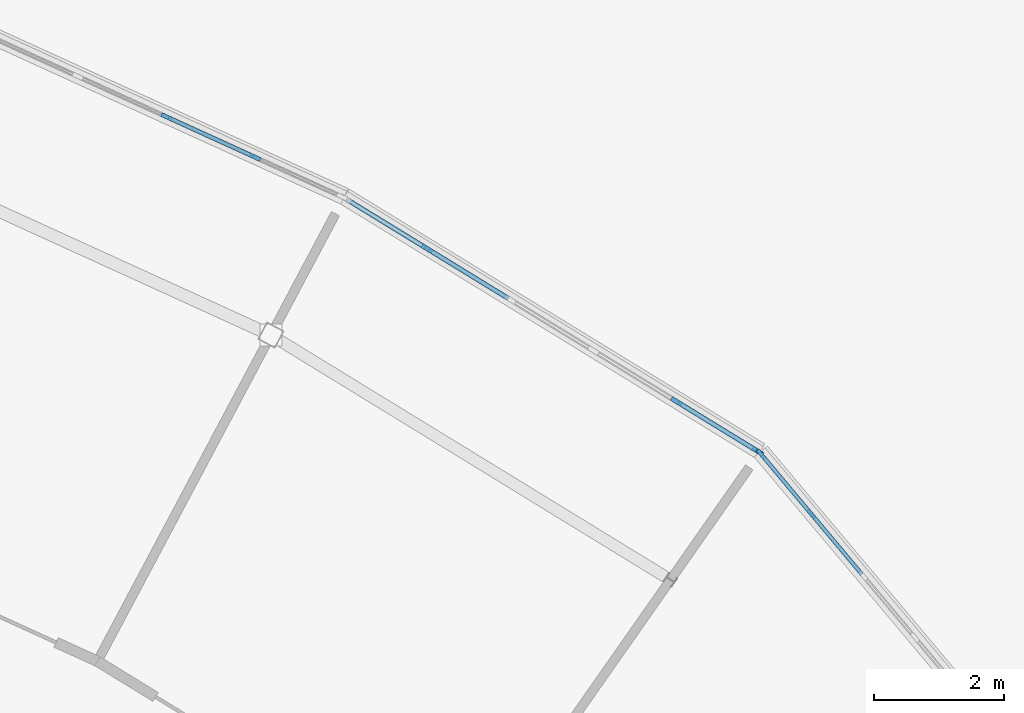
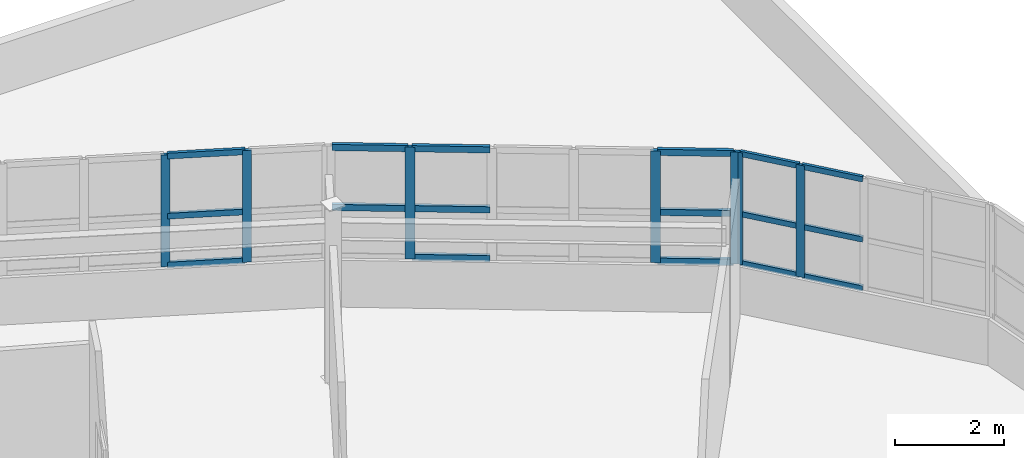
# One storey, part 52 of 128: 24 members, 3 elements without a shape of their own.
"""IFC4 building model written with IfcOpenShell, lengths in metres."""

from ifc_helpers import new_model, si_unit, direction, frame, origin, origin_2d, place, context, subcontext, project, spatial, rectangle, extrude, material, layer, layer_set, material_profile, profile_set, type_object, element, aggregate, save


model = new_model("IFC4")

# Units and contexts
model_context = context("Model", 3, precision=1e-05, world=origin(), true_north=direction((0.0, 1.0)))
body_context = subcontext(model_context, "Body", "Model", "MODEL_VIEW")
ifc_project = project(units=[si_unit("LENGTHUNIT", "METRE"), si_unit("AREAUNIT", "SQUARE_METRE"), si_unit("VOLUMEUNIT", "CUBIC_METRE"), si_unit("PLANEANGLEUNIT", "RADIAN"), si_unit("MASSUNIT", "GRAM", prefix="KILO")], contexts=[model_context])

# Site, building, storey
site_placement = place(None, origin())
site = spatial("IfcSite", under=ifc_project, at=site_placement, CompositionType="ELEMENT")
building_placement = place(site_placement, origin())
building = spatial("IfcBuilding", under=site, at=building_placement, Name="Tarnwether General Hospital", CompositionType="ELEMENT")
storey_placement = place(building_placement, frame((0.0, 0.0, 14.39990234375)))
storey = spatial("IfcBuildingStorey", under=building, at=storey_placement, Name="L03", CompositionType="ELEMENT", Elevation=14.39990234375)

# Curtain wall, members
ifc_material_1 = material(Name="Anodised aluminium", Category="aluminium")
ifc_layer_1 = layer(ifc_material_1, 0.159912109375)
ifc_layer_set_1 = layer_set([ifc_layer_1], Name="Anodised aluminium")
curtain_wall_type_1 = type_object("IfcCurtainWallType", Name="CW-03", PredefinedType="NOTDEFINED", material=ifc_layer_set_1)
curtain_wall_1_placement = place(storey_placement, origin())
curtain_wall_1 = element("IfcCurtainWall", 1, at=curtain_wall_1_placement, inside=storey, type_object=curtain_wall_type_1, Name="Curtain Wall CWG-L03-1273_1135-0021", PredefinedType="NOTDEFINED")
ifc_material_2 = material(Name="Anodised aluminium", Category="aluminium")
ifc_material_profile_1 = material_profile(ifc_material_2, rectangle(XDim=0.06005859375, YDim=0.159912109375, at=origin_2d()), Name="ALU-MUL-60x160")
ifc_profile_set_1 = profile_set([ifc_material_profile_1], Name="Anodised aluminium")
member_type_1 = type_object("IfcMemberType", Name="CW-ML1", PredefinedType="MULLION", material=ifc_profile_set_1)
member_1_placement = place(storey_placement, frame((127.351318359375, 113.43701171875, 1.050048828125), z_axis=(0.0, 0.0, 1.0), x_axis=(0.765990176896, 0.64285227611, 0.0)))
member_1 = element("IfcMember", 2, at=member_1_placement, type_object=member_type_1, Name="CW-03 mullion 1", PredefinedType="MULLION", context=body_context, shape_type="SweptSolid", body=[
    extrude(rectangle(XDim=0.06005859375, YDim=0.159912109375, at=origin_2d()), origin(), (0.0, 0.0, 1.0), 2.510009765625),
])
member_2_placement = place(storey_placement, frame((128.130859375, 112.50830078125, 1.050048828125), z_axis=(0.0, 0.0, 1.0), x_axis=(0.765990176896, 0.64285227611, 0.0)))
member_2 = element("IfcMember", 3, at=member_2_placement, type_object=member_type_1, Name="CW-03 mullion 2", PredefinedType="MULLION", context=body_context, shape_type="SweptSolid", body=[
    extrude(rectangle(XDim=0.06005859375, YDim=0.159912109375, at=origin_2d()), origin(), (0.0, 0.0, 1.0), 2.510009765625),
])

ifc_material_3 = material(Name="Anodised aluminium", Category="aluminium")
ifc_layer_2 = layer(ifc_material_3, 0.159912109375)
ifc_layer_set_2 = layer_set([ifc_layer_2], Name="Anodised aluminium")
curtain_wall_type_2 = type_object("IfcCurtainWallType", Name="CW-01", PredefinedType="NOTDEFINED", material=ifc_layer_set_2)
curtain_wall_2_placement = place(storey_placement, origin())
curtain_wall_2 = element("IfcCurtainWall", 4, at=curtain_wall_2_placement, inside=storey, type_object=curtain_wall_type_2, Name="Curtain Wall CWG-L03-1209_1174-0022", PredefinedType="NOTDEFINED")
ifc_material_4 = material(Name="Anodised aluminium", Category="aluminium")
ifc_material_profile_2 = material_profile(ifc_material_4, rectangle(XDim=0.070068359375, YDim=0.179931640625, at=origin_2d()), Name="ALU-MUL-70x180")
ifc_profile_set_2 = profile_set([ifc_material_profile_2], Name="Anodised aluminium")
member_type_2 = type_object("IfcMemberType", Name="CW-ML2", PredefinedType="MULLION", material=ifc_profile_set_2)
member_3_placement = place(storey_placement, frame((122.20166015625, 116.60400390625, 1.050048828125), z_axis=(0.0, 0.0, 1.0), x_axis=(0.522509056361, 0.852633734977, 0.0)))
member_3 = element("IfcMember", 5, at=member_3_placement, type_object=member_type_2, Name="CW-01 mullion 2", PredefinedType="MULLION", context=body_context, shape_type="SweptSolid", body=[
    extrude(rectangle(XDim=0.070068359375, YDim=0.179931640625, at=origin_2d()), origin(), (0.0, 0.0, 1.0), 2.510009765625),
])
member_4_placement = place(storey_placement, frame((126.04931640625, 114.24609375, 1.050048828125), z_axis=(0.0, 0.0, 1.0), x_axis=(0.522509056361, 0.852633734977, 0.0)))
member_4 = element("IfcMember", 6, at=member_4_placement, type_object=member_type_2, Name="CW-01 mullion 5", PredefinedType="MULLION", context=body_context, shape_type="SweptSolid", body=[
    extrude(rectangle(XDim=0.070068359375, YDim=0.179931640625, at=origin_2d()), origin(), (0.0, 0.0, 1.0), 2.510009765625),
])
member_5_placement = place(storey_placement, frame((127.30224609375, 113.478271484375, 1.050048828125), z_axis=(0.0, 0.0, 1.0), x_axis=(0.522509056361, 0.852633734977, 0.0)))
member_5 = element("IfcMember", 7, at=member_5_placement, type_object=member_type_2, Name="CW-01 mullion 6", PredefinedType="MULLION", context=body_context, shape_type="SweptSolid", body=[
    extrude(rectangle(XDim=0.070068359375, YDim=0.179931640625, at=origin_2d()), origin(), (0.0, 0.0, 1.0), 2.510009765625),
])

curtain_wall_3_placement = place(storey_placement, origin())
curtain_wall_3 = element("IfcCurtainWall", 8, at=curtain_wall_3_placement, inside=storey, type_object=curtain_wall_type_2, Name="Curtain Wall CWG-L03-1141_1205-0023", PredefinedType="NOTDEFINED")
ifc_material_5 = material(Name="Anodised aluminium", Category="aluminium")
ifc_material_profile_3 = material_profile(ifc_material_5, rectangle(XDim=0.06494140625, YDim=0.169921875, at=origin_2d()), Name="ALU-MUL-65x170")
ifc_profile_set_3 = profile_set([ifc_material_profile_3], Name="Anodised aluminium")
member_type_3 = type_object("IfcMemberType", Name="CW-ML3", PredefinedType="MULLION", material=ifc_profile_set_3)
member_6_placement = place(storey_placement, frame((118.181396484375, 118.6376953125, 1.050048828125), z_axis=(0.0, 0.0, 1.0), x_axis=(0.414694289316, 0.909960793886, 0.0)))
member_6 = element("IfcMember", 9, at=member_6_placement, type_object=member_type_3, Name="CW-01 mullion 4", PredefinedType="MULLION", context=body_context, shape_type="SweptSolid", body=[
    extrude(rectangle(XDim=0.06494140625, YDim=0.169921875, at=origin_2d()), origin(), (0.0, 0.0, 1.0), 2.510009765625),
])
member_7_placement = place(storey_placement, frame((119.55029296875, 118.013916015625, 1.050048828125), z_axis=(0.0, 0.0, 1.0), x_axis=(0.414694289316, 0.909960793886, 0.0)))
member_7 = element("IfcMember", 10, at=member_7_placement, type_object=member_type_3, Name="CW-01 mullion 5", PredefinedType="MULLION", context=body_context, shape_type="SweptSolid", body=[
    extrude(rectangle(XDim=0.06494140625, YDim=0.169921875, at=origin_2d()), origin(), (0.0, 0.0, 1.0), 2.510009765625),
])

# Member
ifc_material_6 = material(Name="Anodised aluminium", Category="aluminium")
ifc_material_profile_4 = material_profile(ifc_material_6, rectangle(XDim=0.06005859375, YDim=0.1201171875, at=origin_2d()), Name="ALU-TRN-60x120")
ifc_profile_set_4 = profile_set([ifc_material_profile_4], Name="Anodised aluminium")
member_type_4 = type_object("IfcMemberType", Name="CW-TR1", PredefinedType="USERDEFINED", material=ifc_profile_set_4)
member_8_placement = place(storey_placement, frame((127.37060546875, 113.4140625, 1.080078125), z_axis=(0.642889003043, -0.765959352555, 0.0), x_axis=(0.765959352555, 0.642889003043, 0.0)))
member_8 = element("IfcMember", 11, at=member_8_placement, type_object=member_type_4, Name="CW-03 transom 1.1", ObjectType="TRANSOM", PredefinedType="USERDEFINED", context=body_context, shape_type="SweptSolid", body=[
    extrude(rectangle(XDim=0.06005859375, YDim=0.1201171875, at=origin_2d()), origin(), (0.0, 0.0, 1.0), 1.152587890625),
])

member_9_placement = place(storey_placement, frame((127.37060546875, 113.4140625, 2.1796875), z_axis=(0.642889003043, -0.765959352555, 0.0), x_axis=(0.765959352555, 0.642889003043, 0.0)))
member_9 = element("IfcMember", 12, at=member_9_placement, type_object=member_type_4, Name="CW-03 transom 1.2", ObjectType="TRANSOM", PredefinedType="USERDEFINED", context=body_context, shape_type="SweptSolid", body=[
    extrude(rectangle(XDim=0.06005859375, YDim=0.1201171875, at=origin_2d()), origin(), (0.0, 0.0, 1.0), 1.152587890625),
])

member_10_placement = place(storey_placement, frame((127.37060546875, 113.4140625, 3.530029296875), z_axis=(0.642889003043, -0.765959352555, 0.0), x_axis=(0.765959352555, 0.642889003043, 0.0)))
member_10 = element("IfcMember", 13, at=member_10_placement, type_object=member_type_4, Name="CW-03 transom 1.3", ObjectType="TRANSOM", PredefinedType="USERDEFINED", context=body_context, shape_type="SweptSolid", body=[
    extrude(rectangle(XDim=0.06005859375, YDim=0.1201171875, at=origin_2d()), origin(), (0.0, 0.0, 1.0), 1.152587890625),
])

member_11_placement = place(storey_placement, frame((128.150146484375, 112.4853515625, 1.080078125), z_axis=(0.64278038415, -0.766050506006, 0.0), x_axis=(0.766050506006, 0.64278038415, 0.0)))
member_11 = element("IfcMember", 14, at=member_11_placement, type_object=member_type_4, Name="CW-03 transom 2.1", ObjectType="TRANSOM", PredefinedType="USERDEFINED", context=body_context, shape_type="SweptSolid", body=[
    extrude(rectangle(XDim=0.06005859375, YDim=0.1201171875, at=origin_2d()), origin(), (0.0, 0.0, 1.0), 1.182373046875),
])

member_12_placement = place(storey_placement, frame((128.150146484375, 112.4853515625, 2.1796875), z_axis=(0.64278038415, -0.766050506006, 0.0), x_axis=(0.766050506006, 0.64278038415, 0.0)))
member_12 = element("IfcMember", 15, at=member_12_placement, type_object=member_type_4, Name="CW-03 transom 2.2", ObjectType="TRANSOM", PredefinedType="USERDEFINED", context=body_context, shape_type="SweptSolid", body=[
    extrude(rectangle(XDim=0.06005859375, YDim=0.1201171875, at=origin_2d()), origin(), (0.0, 0.0, 1.0), 1.182373046875),
])

member_13_placement = place(storey_placement, frame((128.150146484375, 112.4853515625, 3.530029296875), z_axis=(0.64278038415, -0.766050506006, 0.0), x_axis=(0.766050506006, 0.64278038415, 0.0)))
member_13 = element("IfcMember", 16, at=member_13_placement, type_object=member_type_4, Name="CW-03 transom 2.3", ObjectType="TRANSOM", PredefinedType="USERDEFINED", context=body_context, shape_type="SweptSolid", body=[
    extrude(rectangle(XDim=0.06005859375, YDim=0.1201171875, at=origin_2d()), origin(), (0.0, 0.0, 1.0), 1.182373046875),
])

aggregate(curtain_wall_1, [member_1, member_2, member_8, member_9, member_10, member_11, member_12, member_13])

ifc_material_7 = material(Name="Anodised aluminium", Category="aluminium")
ifc_material_profile_5 = material_profile(ifc_material_7, rectangle(XDim=0.070068359375, YDim=0.139892578125, at=origin_2d()), Name="ALU-TRN-70x140")
ifc_profile_set_5 = profile_set([ifc_material_profile_5], Name="Anodised aluminium")
member_type_5 = type_object("IfcMemberType", Name="CW-TR2", PredefinedType="USERDEFINED", material=ifc_profile_set_5)
member_14_placement = place(storey_placement, frame((120.978759765625, 117.353515625, 2.1796875), z_axis=(0.852621311554, -0.522529328444, 0.0), x_axis=(0.522529328444, 0.852621311554, 0.0)))
member_14 = element("IfcMember", 17, at=member_14_placement, type_object=member_type_5, Name="CW-01 transom 1.2", ObjectType="TRANSOM", PredefinedType="USERDEFINED", context=body_context, shape_type="SweptSolid", body=[
    extrude(rectangle(XDim=0.070068359375, YDim=0.139892578125, at=origin_2d()), origin(), (0.0, 0.0, 1.0), 1.3994140625),
])

member_15_placement = place(storey_placement, frame((120.978759765625, 117.353515625, 3.525146484375), z_axis=(0.852621311554, -0.522529328444, 0.0), x_axis=(0.522529328444, 0.852621311554, 0.0)))
member_15 = element("IfcMember", 18, at=member_15_placement, type_object=member_type_5, Name="CW-01 transom 1.3", ObjectType="TRANSOM", PredefinedType="USERDEFINED", context=body_context, shape_type="SweptSolid", body=[
    extrude(rectangle(XDim=0.070068359375, YDim=0.139892578125, at=origin_2d()), origin(), (0.0, 0.0, 1.0), 1.3994140625),
])

member_16_placement = place(storey_placement, frame((122.2314453125, 116.585693359375, 1.085205078125), z_axis=(0.85260369875, -0.522558066513, 0.0), x_axis=(0.522558066513, 0.85260369875, 0.0)))
member_16 = element("IfcMember", 19, at=member_16_placement, type_object=member_type_5, Name="CW-01 transom 2.1", ObjectType="TRANSOM", PredefinedType="USERDEFINED", context=body_context, shape_type="SweptSolid", body=[
    extrude(rectangle(XDim=0.070068359375, YDim=0.139892578125, at=origin_2d()), origin(), (0.0, 0.0, 1.0), 1.434326171875),
])

member_17_placement = place(storey_placement, frame((122.2314453125, 116.585693359375, 2.1796875), z_axis=(0.85260369875, -0.522558066513, 0.0), x_axis=(0.522558066513, 0.85260369875, 0.0)))
member_17 = element("IfcMember", 20, at=member_17_placement, type_object=member_type_5, Name="CW-01 transom 2.2", ObjectType="TRANSOM", PredefinedType="USERDEFINED", context=body_context, shape_type="SweptSolid", body=[
    extrude(rectangle(XDim=0.070068359375, YDim=0.139892578125, at=origin_2d()), origin(), (0.0, 0.0, 1.0), 1.434326171875),
])

member_18_placement = place(storey_placement, frame((122.2314453125, 116.585693359375, 3.525146484375), z_axis=(0.85260369875, -0.522558066513, 0.0), x_axis=(0.522558066513, 0.85260369875, 0.0)))
member_18 = element("IfcMember", 21, at=member_18_placement, type_object=member_type_5, Name="CW-01 transom 2.3", ObjectType="TRANSOM", PredefinedType="USERDEFINED", context=body_context, shape_type="SweptSolid", body=[
    extrude(rectangle(XDim=0.070068359375, YDim=0.139892578125, at=origin_2d()), origin(), (0.0, 0.0, 1.0), 1.434326171875),
])

member_19_placement = place(storey_placement, frame((126.079345703125, 114.227783203125, 1.085205078125), z_axis=(0.852573664934, -0.52260706641, 0.0), x_axis=(0.52260706641, 0.852573664934, 0.0)))
member_19 = element("IfcMember", 22, at=member_19_placement, type_object=member_type_5, Name="CW-01 transom 5.1", ObjectType="TRANSOM", PredefinedType="USERDEFINED", context=body_context, shape_type="SweptSolid", body=[
    extrude(rectangle(XDim=0.070068359375, YDim=0.139892578125, at=origin_2d()), origin(), (0.0, 0.0, 1.0), 1.399169921875),
])

member_20_placement = place(storey_placement, frame((126.079345703125, 114.227783203125, 2.1796875), z_axis=(0.852573664934, -0.52260706641, 0.0), x_axis=(0.52260706641, 0.852573664934, 0.0)))
member_20 = element("IfcMember", 23, at=member_20_placement, type_object=member_type_5, Name="CW-01 transom 5.2", ObjectType="TRANSOM", PredefinedType="USERDEFINED", context=body_context, shape_type="SweptSolid", body=[
    extrude(rectangle(XDim=0.070068359375, YDim=0.139892578125, at=origin_2d()), origin(), (0.0, 0.0, 1.0), 1.399169921875),
])

member_21_placement = place(storey_placement, frame((126.079345703125, 114.227783203125, 3.525146484375), z_axis=(0.852573664934, -0.52260706641, 0.0), x_axis=(0.52260706641, 0.852573664934, 0.0)))
member_21 = element("IfcMember", 24, at=member_21_placement, type_object=member_type_5, Name="CW-01 transom 5.3", ObjectType="TRANSOM", PredefinedType="USERDEFINED", context=body_context, shape_type="SweptSolid", body=[
    extrude(rectangle(XDim=0.070068359375, YDim=0.139892578125, at=origin_2d()), origin(), (0.0, 0.0, 1.0), 1.399169921875),
])

aggregate(curtain_wall_2, [member_3, member_4, member_5, member_14, member_15, member_16, member_17, member_18, member_19, member_20, member_21])

ifc_material_8 = material(Name="Anodised aluminium", Category="aluminium")
ifc_material_profile_6 = material_profile(ifc_material_8, rectangle(XDim=0.06494140625, YDim=0.1298828125, at=origin_2d()), Name="ALU-TRN-65x130")
ifc_profile_set_6 = profile_set([ifc_material_profile_6], Name="Anodised aluminium")
member_type_6 = type_object("IfcMemberType", Name="CW-TR3", PredefinedType="USERDEFINED", material=ifc_profile_set_6)
member_22_placement = place(storey_placement, frame((118.2109375, 118.6240234375, 1.08251953125), z_axis=(0.909994277716, -0.414620808117, 0.0), x_axis=(0.414620808117, 0.909994277716, 0.0)))
member_22 = element("IfcMember", 25, at=member_22_placement, type_object=member_type_6, Name="CW-01 transom 4.1", ObjectType="TRANSOM", PredefinedType="USERDEFINED", context=body_context, shape_type="SweptSolid", body=[
    extrude(rectangle(XDim=0.06494140625, YDim=0.1298828125, at=origin_2d()), origin(), (0.0, 0.0, 1.0), 1.439208984375),
])

member_23_placement = place(storey_placement, frame((118.2109375, 118.6240234375, 2.1796875), z_axis=(0.909994277716, -0.414620808117, 0.0), x_axis=(0.414620808117, 0.909994277716, 0.0)))
member_23 = element("IfcMember", 26, at=member_23_placement, type_object=member_type_6, Name="CW-01 transom 4.2", ObjectType="TRANSOM", PredefinedType="USERDEFINED", context=body_context, shape_type="SweptSolid", body=[
    extrude(rectangle(XDim=0.06494140625, YDim=0.1298828125, at=origin_2d()), origin(), (0.0, 0.0, 1.0), 1.439208984375),
])

member_24_placement = place(storey_placement, frame((118.2109375, 118.6240234375, 3.527587890625), z_axis=(0.909994277716, -0.414620808117, 0.0), x_axis=(0.414620808117, 0.909994277716, 0.0)))
member_24 = element("IfcMember", 27, at=member_24_placement, type_object=member_type_6, Name="CW-01 transom 4.3", ObjectType="TRANSOM", PredefinedType="USERDEFINED", context=body_context, shape_type="SweptSolid", body=[
    extrude(rectangle(XDim=0.06494140625, YDim=0.1298828125, at=origin_2d()), origin(), (0.0, 0.0, 1.0), 1.439208984375),
])

aggregate(curtain_wall_3, [member_6, member_7, member_22, member_23, member_24])

save(model, "model.ifc")
